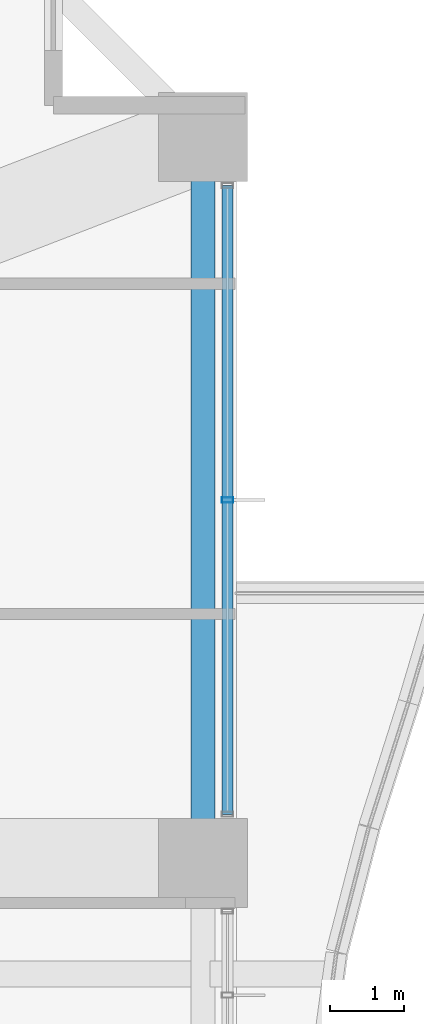
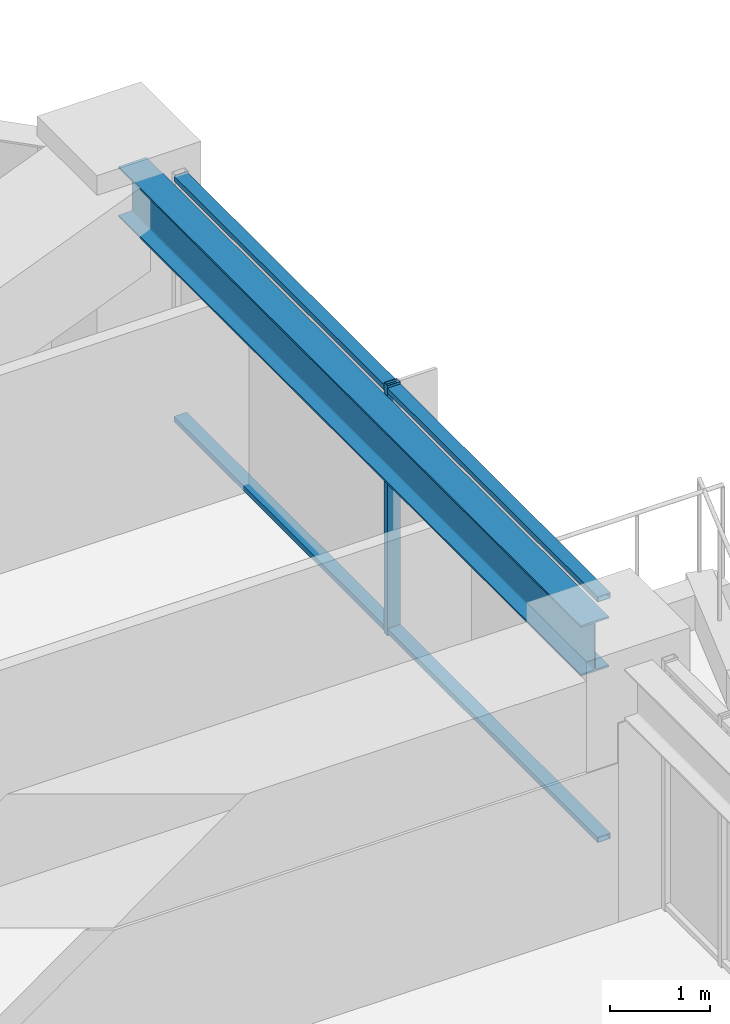
# One storey, part 17 of 39: 3 members, 1 beam, 1 element without a shape of its own.
"""IFC4 building model written with IfcOpenShell, lengths in metres."""

from ifc_helpers import new_model, si_unit, direction, frame, origin, origin_2d, place, context, subcontext, project, spatial, hollow_rectangle, i_section, extrude, material, material_profile, profile_set, type_object, element, aggregate, save


model = new_model("IFC4")

# Units and contexts
model_context = context("Model", 3, precision=1e-05, world=origin(), true_north=direction((0.0, 1.0)))
body_context = subcontext(model_context, "Body", "Model", "MODEL_VIEW")
ifc_project = project(units=[si_unit("LENGTHUNIT", "METRE"), si_unit("AREAUNIT", "SQUARE_METRE"), si_unit("VOLUMEUNIT", "CUBIC_METRE"), si_unit("PLANEANGLEUNIT", "RADIAN"), si_unit("MASSUNIT", "GRAM", prefix="KILO")], contexts=[model_context])

# Site, building, storey
site_placement = place(None, origin())
site = spatial("IfcSite", under=ifc_project, at=site_placement, CompositionType="ELEMENT")
building_placement = place(site_placement, origin())
building = spatial("IfcBuilding", under=site, at=building_placement, Name="Kolvaren Belvedere", CompositionType="ELEMENT")
storey_placement = place(building_placement, frame((0.0, 0.0, 33.699951171875)))
storey = spatial("IfcBuildingStorey", under=building, at=storey_placement, Name="L09", CompositionType="ELEMENT", Elevation=33.699951171875)

# Beam
ifc_material_1 = material(Name="Structural steel ASTM A992 Grade 50", Category="steel")
ifc_material_profile_1 = material_profile(ifc_material_1, i_section(OverallWidth=0.324951171875, OverallDepth=0.615966796875, WebThickness=0.013916015625, FlangeThickness=0.021484375, FilletRadius=0.02001953125, at=origin_2d()), Name="W24X117")
ifc_profile_set_1 = profile_set([ifc_material_profile_1], Name="Structural steel ASTM A992 Grade 50")
beam_type = type_object("IfcBeamType", Name="BM-SPAN-W24X117", PredefinedType="SPANDREL", material=ifc_profile_set_1)
beam_placement = place(storey_placement, frame((21.550048828125, 4.8701171875, 2.751953125), z_axis=(0.0, 1.0, 0.0), x_axis=(-1.0, 0.0, 0.0)))
element("IfcBeam", 1, at=beam_placement, inside=storey, type_object=beam_type, Name="L09 Perimeter Spandrel E3-E4", PredefinedType="SPANDREL", context=body_context, shape_type="SweptSolid", body=[
    extrude(i_section(OverallWidth=0.324951171875, OverallDepth=0.615966796875, WebThickness=0.013916015625, FlangeThickness=0.021484375, FilletRadius=0.02001953125, at=origin_2d()), origin(), (0.0, 0.0, 1.0), 9.259765625),
])

# Curtain wall, members
ifc_material_2 = material(Name="Anodised pale-metal aluminium AA 6063-T6", Category="aluminium")
curtain_wall_type = type_object("IfcCurtainWallType", Name="CW-Z1-LOW", PredefinedType="NOTDEFINED", material=ifc_material_2)
curtain_wall_placement = place(storey_placement, origin())
curtain_wall = element("IfcCurtainWall", 2, at=curtain_wall_placement, inside=storey, type_object=curtain_wall_type, Name="L09 Unitised Curtain Wall FCW-L09-E1-B1", PredefinedType="NOTDEFINED")
ifc_material_3 = material(Name="Anodised pale-metal aluminium AA 6063-T6", Category="aluminium")
ifc_material_profile_2 = material_profile(ifc_material_3, hollow_rectangle(XDim=0.070068359375, YDim=0.14990234375, WallThickness=0.004150390625, at=origin_2d()), Name="ALU-MUL-150X70")
ifc_profile_set_2 = profile_set([ifc_material_profile_2], Name="Anodised pale-metal aluminium AA 6063-T6")
member_type_1 = type_object("IfcMemberType", Name="CW-MUL-150", PredefinedType="MULLION", material=ifc_profile_set_2)
member_1_placement = place(storey_placement, frame((21.8798828125, 9.5, 0.0), z_axis=(0.0, 0.0, 1.0), x_axis=(0.0, 1.0, 0.0)))
member_1 = element("IfcMember", 3, at=member_1_placement, type_object=member_type_1, Name="FCW-L09-E1-B1 Unitised Mullion 2", PredefinedType="MULLION", context=body_context, shape_type="SweptSolid", body=[
    extrude(hollow_rectangle(XDim=0.070068359375, YDim=0.14990234375, WallThickness=0.004150390625, at=origin_2d()), origin(), (0.0, 0.0, 1.0), 3.06005859375),
])
ifc_material_4 = material(Name="Anodised pale-metal aluminium AA 6063-T6", Category="aluminium")
ifc_material_profile_3 = material_profile(ifc_material_4, hollow_rectangle(XDim=0.06494140625, YDim=0.14990234375, WallThickness=0.00390625, at=origin_2d()), Name="ALU-TRN-150X65")
ifc_profile_set_3 = profile_set([ifc_material_profile_3], Name="Anodised pale-metal aluminium AA 6063-T6")
member_type_2 = type_object("IfcMemberType", Name="CW-TRN-150", PredefinedType="USERDEFINED", material=ifc_profile_set_3)
member_2_placement = place(storey_placement, frame((21.8798828125, 13.7451171875, 0.06005859375), z_axis=(0.0, -1.0, 0.0), x_axis=(0.0, 0.0, 1.0)))
member_2 = element("IfcMember", 4, at=member_2_placement, type_object=member_type_2, Name="FCW-L09-E1-B1 Sill Transom", ObjectType="TRANSOM", PredefinedType="USERDEFINED", context=body_context, shape_type="SweptSolid", body=[
    extrude(hollow_rectangle(XDim=0.06494140625, YDim=0.14990234375, WallThickness=0.00390625, at=origin_2d()), origin(), (0.0, 0.0, 1.0), 8.490234375),
])
member_3_placement = place(storey_placement, frame((21.8798828125, 13.7451171875, 3.0), z_axis=(0.0, -1.0, 0.0), x_axis=(0.0, 0.0, 1.0)))
member_3 = element("IfcMember", 5, at=member_3_placement, type_object=member_type_2, Name="FCW-L09-E1-B1 Head Transom", ObjectType="TRANSOM", PredefinedType="USERDEFINED", context=body_context, shape_type="SweptSolid", body=[
    extrude(hollow_rectangle(XDim=0.06494140625, YDim=0.14990234375, WallThickness=0.00390625, at=origin_2d()), origin(), (0.0, 0.0, 1.0), 8.490234375),
])
aggregate(curtain_wall, [member_1, member_2, member_3])

save(model, "model.ifc")
